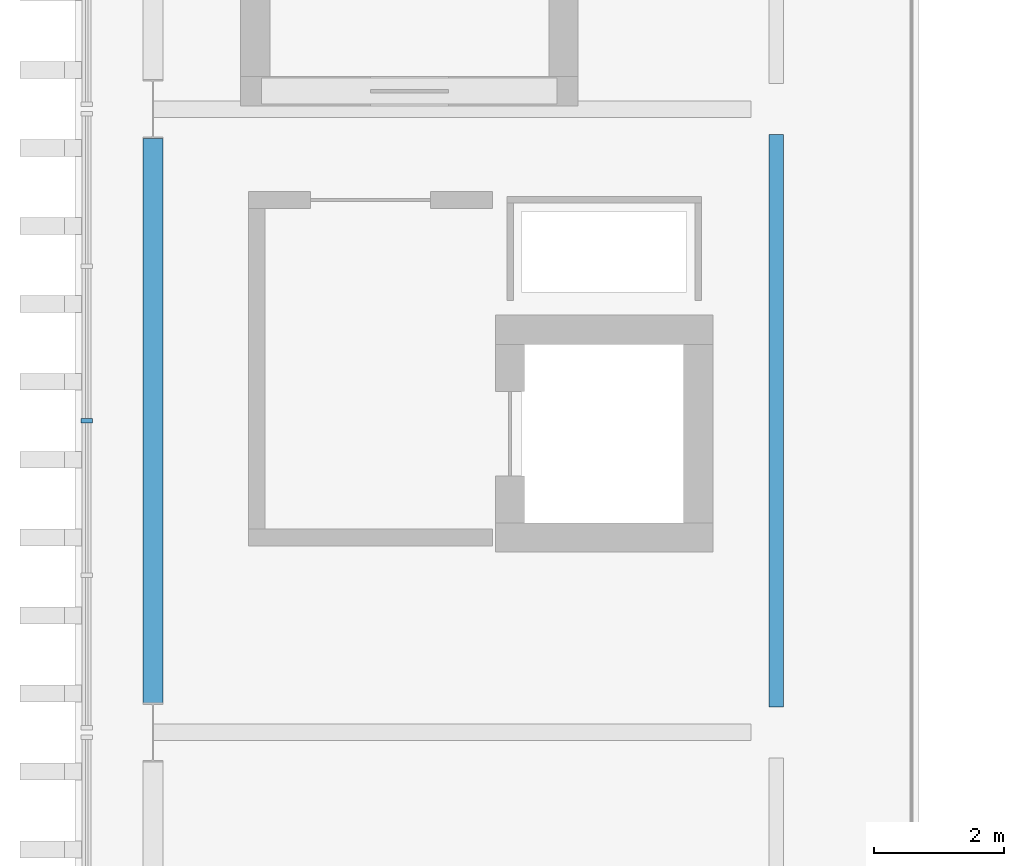
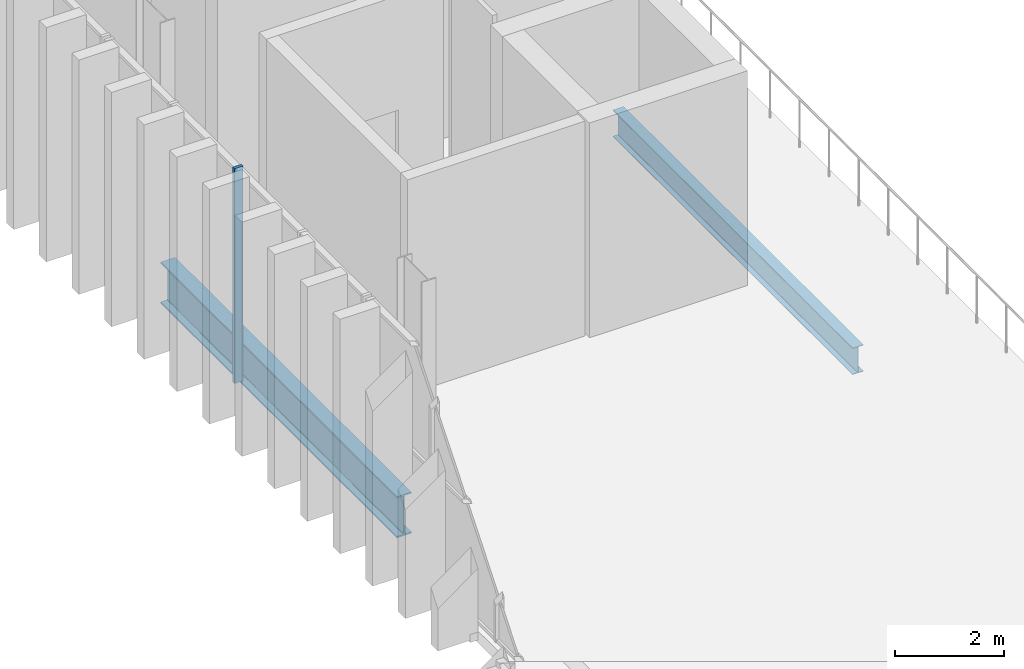
# One storey, part 13 of 45: 2 beams, 1 member, 1 element without a shape of its own.
"""IFC4 building model written with IfcOpenShell, lengths in metres."""

from ifc_helpers import new_model, si_unit, direction, frame, origin, origin_2d, place, context, subcontext, project, spatial, rectangle, i_section, extrude, material, layer, layer_set, material_profile, profile_set, type_object, element, aggregate, save


model = new_model("IFC4")

# Units and contexts
model_context = context("Model", 3, precision=1e-05, world=origin(), true_north=direction((0.0, 1.0)))
body_context = subcontext(model_context, "Body", "Model", "MODEL_VIEW")
ifc_project = project(units=[si_unit("LENGTHUNIT", "METRE"), si_unit("AREAUNIT", "SQUARE_METRE"), si_unit("VOLUMEUNIT", "CUBIC_METRE"), si_unit("PLANEANGLEUNIT", "RADIAN"), si_unit("MASSUNIT", "GRAM", prefix="KILO")], contexts=[model_context])

# Site, building, storey
site_placement = place(None, origin())
site = spatial("IfcSite", under=ifc_project, at=site_placement, CompositionType="ELEMENT")
building_placement = place(site_placement, origin())
building = spatial("IfcBuilding", under=site, at=building_placement, Name="Caelomonte Colonnade Arena", CompositionType="ELEMENT")
storey_placement = place(building_placement, frame((0.0, 0.0, 23.10009765625)))
storey = spatial("IfcBuildingStorey", under=building, at=storey_placement, Name="L05", CompositionType="ELEMENT", Elevation=23.10009765625)

# Curtain wall, member
ifc_material_1 = material(Name="Bronze anodised aluminium and low-E glazing", Category="aluminium")
ifc_layer = layer(ifc_material_1, 0.179931640625)
ifc_layer_set = layer_set([ifc_layer], Name="Bronze anodised aluminium and low-E glazing")
curtain_wall_type = type_object("IfcCurtainWallType", Name="ENV-CW-CW-L05-96-48", PredefinedType="USERDEFINED", material=ifc_layer_set)
curtain_wall_placement = place(storey_placement, origin())
curtain_wall = element("IfcCurtainWall", 1, at=curtain_wall_placement, inside=storey, type_object=curtain_wall_type, Name="L05 unitized curtain wall CW-L05-0566-0816", ObjectType="UNITIZED CURTAIN WALL", PredefinedType="USERDEFINED")
ifc_material_2 = material(Name="Bronze anodised aluminium AA6063-T6", Category="aluminium")
ifc_material_profile_1 = material_profile(ifc_material_2, rectangle(XDim=0.070068359375, YDim=0.179931640625, at=origin_2d()), Name="CWM-70X180")
ifc_profile_set_1 = profile_set([ifc_material_profile_1], Name="Bronze anodised aluminium AA6063-T6")
member_type = type_object("IfcMemberType", Name="ENV-CW-MULL1", PredefinedType="MULLION", material=ifc_profile_set_1)
member_placement = place(storey_placement, frame((56.580078125, 81.60009765625, 0.0), z_axis=(0.0, 0.0, 1.0), x_axis=(0.0, -1.0, 0.0)))
member = element("IfcMember", 2, at=member_placement, type_object=member_type, Name="CW-L05-96-48 mullion 3", PredefinedType="MULLION", context=body_context, shape_type="SweptSolid", body=[
    extrude(rectangle(XDim=0.070068359375, YDim=0.179931640625, at=origin_2d()), origin(), (0.0, 0.0, 1.0), 4.81982421875),
])
aggregate(curtain_wall, [member])

# Beams
ifc_material_3 = material(Name="Wide-flange steel ASTM A992 Grade 50", Category="steel")
ifc_material_profile_2 = material_profile(ifc_material_3, i_section(OverallWidth=0.307861328125, OverallDepth=0.927001953125, WebThickness=0.019287109375, FlangeThickness=0.031982421875, FilletRadius=0.020263671875, at=origin_2d()), Name="W36X194")
ifc_profile_set_2 = profile_set([ifc_material_profile_2], Name="Wide-flange steel ASTM A992 Grade 50")
beam_type_1 = type_object("IfcBeamType", Name="STR-BM-EAVES2", PredefinedType="SPANDREL", material=ifc_profile_set_2)
beam_1_placement = place(storey_placement, frame((57.60009765625, 77.255615234375, -0.7236328125), z_axis=(0.0, 1.0, 0.0), x_axis=(-1.0, 0.0, 0.0)))
element("IfcBeam", 3, at=beam_1_placement, inside=storey, type_object=beam_type_1, Name="L05 girder BMY-L05-0576-0768", PredefinedType="SPANDREL", context=body_context, shape_type="SweptSolid", body=[
    extrude(i_section(OverallWidth=0.307861328125, OverallDepth=0.927001953125, WebThickness=0.019287109375, FlangeThickness=0.031982421875, FilletRadius=0.020263671875, at=origin_2d()), origin(), (0.0, 0.0, 1.0), 8.68896484375),
])
ifc_material_profile_3 = material_profile(ifc_material_3, i_section(OverallWidth=0.227783203125, OverallDepth=0.60205078125, WebThickness=0.010498046875, FlangeThickness=0.014892578125, FilletRadius=0.0126953125, at=origin_2d()), Name="W24X68")
ifc_profile_set_3 = profile_set([ifc_material_profile_3], Name="Wide-flange steel ASTM A992 Grade 50")
beam_type_2 = type_object("IfcBeamType", Name="STR-BM-GIRD24B", PredefinedType="SPANDREL", material=ifc_profile_set_3)
beam_2_placement = place(storey_placement, frame((67.199951171875, 77.19189453125, -0.56103515625), z_axis=(0.0, 1.0, 0.0), x_axis=(-1.0, 0.0, 0.0)))
element("IfcBeam", 4, at=beam_2_placement, inside=storey, type_object=beam_type_2, Name="L05 girder BMY-L05-0672-0768", PredefinedType="SPANDREL", context=body_context, shape_type="SweptSolid", body=[
    extrude(i_section(OverallWidth=0.227783203125, OverallDepth=0.60205078125, WebThickness=0.010498046875, FlangeThickness=0.014892578125, FilletRadius=0.0126953125, at=origin_2d()), origin(), (0.0, 0.0, 1.0), 8.816162109375),
])

save(model, "model.ifc")
